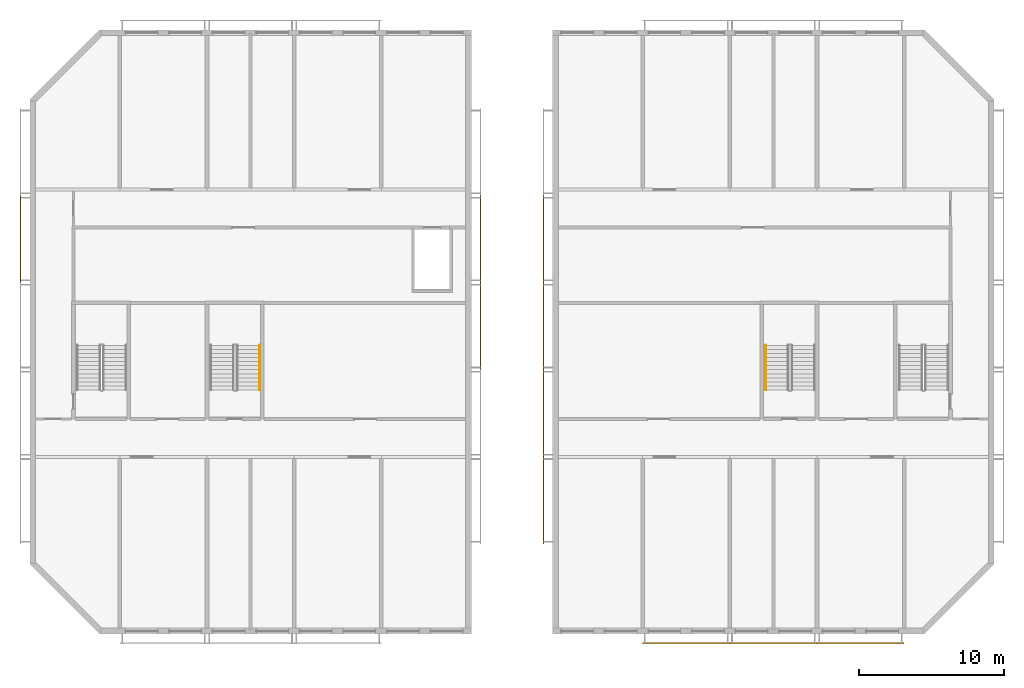
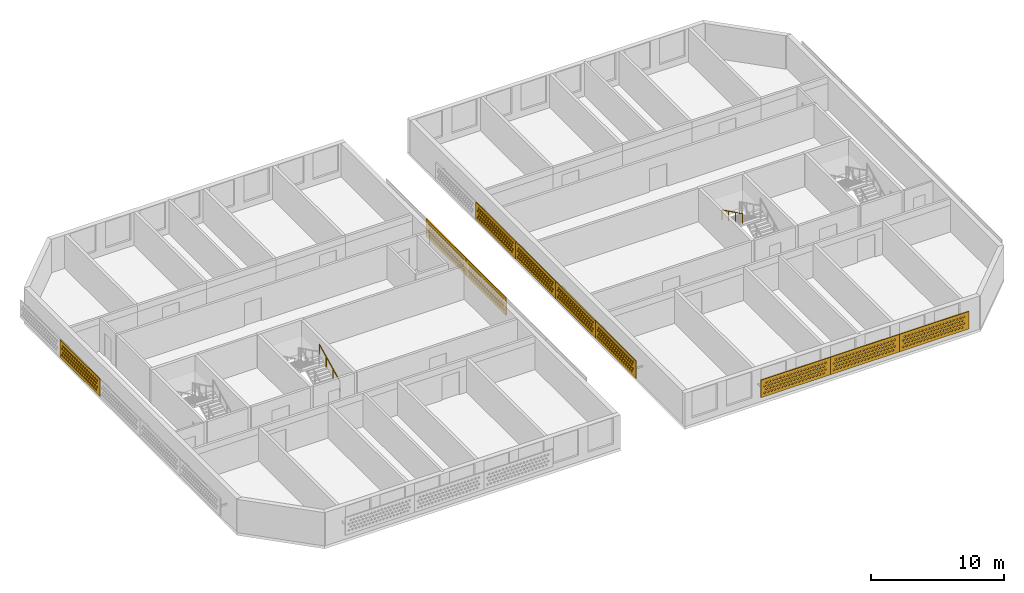
# One storey, part 10 of 18: 10 coverings, 2 railings.
"""IFC4 building model written with IfcOpenShell, lengths in metres."""

from ifc_helpers import new_model, si_unit, direction, frame, origin, origin_2d, place, context, subcontext, project, spatial, polyline, circle, outline, extrude, source, transform, mapped, material, material_profile, profile_set, type_object, element, save


model = new_model("IFC4")

# Units and contexts
model_context = context("Model", 3, precision=1e-05, world=origin(), true_north=direction((0.0, 1.0)))
body_context = subcontext(model_context, "Body", "Model", "MODEL_VIEW")
ifc_project = project(units=[si_unit("LENGTHUNIT", "METRE"), si_unit("AREAUNIT", "SQUARE_METRE"), si_unit("VOLUMEUNIT", "CUBIC_METRE"), si_unit("PLANEANGLEUNIT", "RADIAN"), si_unit("MASSUNIT", "GRAM", prefix="KILO")], contexts=[model_context])

# Site, building, storey
site_placement = place(None, origin())
site = spatial("IfcSite", under=ifc_project, at=site_placement, CompositionType="ELEMENT")
building_placement = place(site_placement, origin())
building = spatial("IfcBuilding", under=site, at=building_placement, Name="Poui Terraces", CompositionType="ELEMENT")
storey_placement = place(building_placement, frame((0.0, 0.0, 279.0)))
storey = spatial("IfcBuildingStorey", under=building, at=storey_placement, Name="L77 CROWN", CompositionType="ELEMENT", Elevation=279.0)

# Railings
ifc_material_1 = material(Name="Stainless steel handrail", Category="steel")
railing_type = type_object("IfcRailingType", Name="STAIR HANDRAIL 900", PredefinedType="HANDRAIL", material=ifc_material_1)
railing_1_placement = place(storey_placement, frame((68.47509765625, 19.679931640625, 1.78759765625)))
element("IfcRailing", 1, at=railing_1_placement, inside=storey, type_object=railing_type, Name="L77 CROWN ST-CE stair handrail 2", PredefinedType="HANDRAIL", context=body_context, shape_type="SweptSolid", body=[
    extrude(circle(Radius=0.02392578125, at=origin_2d()), frame((0.0, 0.0, 0.8759765625), z_axis=(0.0, -0.897606190399, 0.440798283751), x_axis=(1.0, 0.0, 0.0)), (0.0, 0.0, 1.0), 3.43115234375),
    extrude(circle(Radius=0.02099609375, at=origin_2d()), origin(), (0.0, 0.0, 1.0), 0.851806640625),
    extrude(circle(Radius=0.02099609375, at=origin_2d()), frame((0.0, -1.026611328125, 0.504150390625)), (0.0, 0.0, 1.0), 0.851806640625),
    extrude(circle(Radius=0.02099609375, at=origin_2d()), frame((0.0, -2.05322265625, 1.00830078125)), (0.0, 0.0, 1.0), 0.851806640625),
    extrude(circle(Radius=0.02099609375, at=origin_2d()), frame((0.0, -3.079833984375, 1.512451171875)), (0.0, 0.0, 1.0), 0.851806640625),
])
railing_2_placement = place(storey_placement, frame((33.625, 16.60009765625, 0.137451171875)))
element("IfcRailing", 2, at=railing_2_placement, inside=storey, type_object=railing_type, Name="L77 CROWN ST-CW stair handrail 1", PredefinedType="HANDRAIL", context=body_context, shape_type="SweptSolid", body=[
    extrude(circle(Radius=0.02392578125, at=origin_2d()), frame((0.0, 0.0, 0.8759765625), z_axis=(0.0, 0.897606190399, 0.440798283751), x_axis=(-1.0, 0.0, 0.0)), (0.0, 0.0, 1.0), 3.43115234375),
    extrude(circle(Radius=0.02099609375, at=origin_2d()), origin(), (0.0, 0.0, 1.0), 0.851806640625),
    extrude(circle(Radius=0.02099609375, at=origin_2d()), frame((0.0, 1.026611328125, 0.504150390625)), (0.0, 0.0, 1.0), 0.851806640625),
    extrude(circle(Radius=0.02099609375, at=origin_2d()), frame((0.0, 2.05322265625, 1.00830078125)), (0.0, 0.0, 1.0), 0.851806640625),
    extrude(circle(Radius=0.02099609375, at=origin_2d()), frame((0.0, 3.079833984375, 1.512451171875)), (0.0, 0.0, 1.0), 0.851806640625),
])

# Coverings
ifc_material_2 = material(Name="Terracotta screen", Category="masonry")
ifc_material_profile = material_profile(ifc_material_2, outline(polyline([(-3.0, -0.800048828125), (3.0, -0.800048828125), (3.0, 0.800048828125), (-3.0, 0.800048828125), (-3.0, -0.800048828125)]), holes=[polyline([(-2.800048828125, -0.449951171875), (-2.68994140625, -0.56005859375), (-2.580078125, -0.449951171875), (-2.68994140625, -0.340087890625), (-2.800048828125, -0.449951171875)]), polyline([(-2.5, -0.449951171875), (-2.389892578125, -0.56005859375), (-2.280029296875, -0.449951171875), (-2.389892578125, -0.340087890625), (-2.5, -0.449951171875)]), polyline([(-2.199951171875, -0.449951171875), (-2.090087890625, -0.56005859375), (-1.97998046875, -0.449951171875), (-2.090087890625, -0.340087890625), (-2.199951171875, -0.449951171875)]), polyline([(-1.89990234375, -0.449951171875), (-1.7900390625, -0.56005859375), (-1.679931640625, -0.449951171875), (-1.7900390625, -0.340087890625), (-1.89990234375, -0.449951171875)]), polyline([(-1.60009765625, -0.449951171875), (-1.489990234375, -0.56005859375), (-1.3798828125, -0.449951171875), (-1.489990234375, -0.340087890625), (-1.60009765625, -0.449951171875)]), polyline([(-1.300048828125, -0.449951171875), (-1.18994140625, -0.56005859375), (-1.080078125, -0.449951171875), (-1.18994140625, -0.340087890625), (-1.300048828125, -0.449951171875)]), polyline([(-1.0, -0.449951171875), (-0.889892578125, -0.56005859375), (-0.780029296875, -0.449951171875), (-0.889892578125, -0.340087890625), (-1.0, -0.449951171875)]), polyline([(-0.699951171875, -0.449951171875), (-0.590087890625, -0.56005859375), (-0.47998046875, -0.449951171875), (-0.590087890625, -0.340087890625), (-0.699951171875, -0.449951171875)]), polyline([(-0.39990234375, -0.449951171875), (-0.2900390625, -0.56005859375), (-0.179931640625, -0.449951171875), (-0.2900390625, -0.340087890625), (-0.39990234375, -0.449951171875)]), polyline([(-0.10009765625, -0.449951171875), (0.010009765625, -0.56005859375), (0.1201171875, -0.449951171875), (0.010009765625, -0.340087890625), (-0.10009765625, -0.449951171875)]), polyline([(0.199951171875, -0.449951171875), (0.31005859375, -0.56005859375), (0.419921875, -0.449951171875), (0.31005859375, -0.340087890625), (0.199951171875, -0.449951171875)]), polyline([(0.5, -0.449951171875), (0.610107421875, -0.56005859375), (0.719970703125, -0.449951171875), (0.610107421875, -0.340087890625), (0.5, -0.449951171875)]), polyline([(0.800048828125, -0.449951171875), (0.909912109375, -0.56005859375), (1.02001953125, -0.449951171875), (0.909912109375, -0.340087890625), (0.800048828125, -0.449951171875)]), polyline([(1.10009765625, -0.449951171875), (1.2099609375, -0.56005859375), (1.320068359375, -0.449951171875), (1.2099609375, -0.340087890625), (1.10009765625, -0.449951171875)]), polyline([(1.39990234375, -0.449951171875), (1.510009765625, -0.56005859375), (1.6201171875, -0.449951171875), (1.510009765625, -0.340087890625), (1.39990234375, -0.449951171875)]), polyline([(1.699951171875, -0.449951171875), (1.81005859375, -0.56005859375), (1.919921875, -0.449951171875), (1.81005859375, -0.340087890625), (1.699951171875, -0.449951171875)]), polyline([(2.0, -0.449951171875), (2.110107421875, -0.56005859375), (2.219970703125, -0.449951171875), (2.110107421875, -0.340087890625), (2.0, -0.449951171875)]), polyline([(2.300048828125, -0.449951171875), (2.409912109375, -0.56005859375), (2.52001953125, -0.449951171875), (2.409912109375, -0.340087890625), (2.300048828125, -0.449951171875)]), polyline([(-2.64990234375, -0.14990234375), (-2.5400390625, -0.260009765625), (-2.429931640625, -0.14990234375), (-2.5400390625, -0.0400390625), (-2.64990234375, -0.14990234375)]), polyline([(-2.35009765625, -0.14990234375), (-2.239990234375, -0.260009765625), (-2.1298828125, -0.14990234375), (-2.239990234375, -0.0400390625), (-2.35009765625, -0.14990234375)]), polyline([(-2.050048828125, -0.14990234375), (-1.93994140625, -0.260009765625), (-1.830078125, -0.14990234375), (-1.93994140625, -0.0400390625), (-2.050048828125, -0.14990234375)]), polyline([(-1.75, -0.14990234375), (-1.639892578125, -0.260009765625), (-1.530029296875, -0.14990234375), (-1.639892578125, -0.0400390625), (-1.75, -0.14990234375)]), polyline([(-1.449951171875, -0.14990234375), (-1.340087890625, -0.260009765625), (-1.22998046875, -0.14990234375), (-1.340087890625, -0.0400390625), (-1.449951171875, -0.14990234375)]), polyline([(-1.14990234375, -0.14990234375), (-1.0400390625, -0.260009765625), (-0.929931640625, -0.14990234375), (-1.0400390625, -0.0400390625), (-1.14990234375, -0.14990234375)]), polyline([(-0.85009765625, -0.14990234375), (-0.739990234375, -0.260009765625), (-0.6298828125, -0.14990234375), (-0.739990234375, -0.0400390625), (-0.85009765625, -0.14990234375)]), polyline([(-0.550048828125, -0.14990234375), (-0.43994140625, -0.260009765625), (-0.330078125, -0.14990234375), (-0.43994140625, -0.0400390625), (-0.550048828125, -0.14990234375)]), polyline([(-0.25, -0.14990234375), (-0.139892578125, -0.260009765625), (-0.030029296875, -0.14990234375), (-0.139892578125, -0.0400390625), (-0.25, -0.14990234375)]), polyline([(0.050048828125, -0.14990234375), (0.159912109375, -0.260009765625), (0.27001953125, -0.14990234375), (0.159912109375, -0.0400390625), (0.050048828125, -0.14990234375)]), polyline([(0.35009765625, -0.14990234375), (0.4599609375, -0.260009765625), (0.570068359375, -0.14990234375), (0.4599609375, -0.0400390625), (0.35009765625, -0.14990234375)]), polyline([(0.64990234375, -0.14990234375), (0.760009765625, -0.260009765625), (0.8701171875, -0.14990234375), (0.760009765625, -0.0400390625), (0.64990234375, -0.14990234375)]), polyline([(0.949951171875, -0.14990234375), (1.06005859375, -0.260009765625), (1.169921875, -0.14990234375), (1.06005859375, -0.0400390625), (0.949951171875, -0.14990234375)]), polyline([(1.25, -0.14990234375), (1.360107421875, -0.260009765625), (1.469970703125, -0.14990234375), (1.360107421875, -0.0400390625), (1.25, -0.14990234375)]), polyline([(1.550048828125, -0.14990234375), (1.659912109375, -0.260009765625), (1.77001953125, -0.14990234375), (1.659912109375, -0.0400390625), (1.550048828125, -0.14990234375)]), polyline([(1.85009765625, -0.14990234375), (1.9599609375, -0.260009765625), (2.070068359375, -0.14990234375), (1.9599609375, -0.0400390625), (1.85009765625, -0.14990234375)]), polyline([(2.14990234375, -0.14990234375), (2.260009765625, -0.260009765625), (2.3701171875, -0.14990234375), (2.260009765625, -0.0400390625), (2.14990234375, -0.14990234375)]), polyline([(2.449951171875, -0.14990234375), (2.56005859375, -0.260009765625), (2.669921875, -0.14990234375), (2.56005859375, -0.0400390625), (2.449951171875, -0.14990234375)]), polyline([(-2.800048828125, 0.14990234375), (-2.68994140625, 0.0400390625), (-2.580078125, 0.14990234375), (-2.68994140625, 0.260009765625), (-2.800048828125, 0.14990234375)]), polyline([(-2.5, 0.14990234375), (-2.389892578125, 0.0400390625), (-2.280029296875, 0.14990234375), (-2.389892578125, 0.260009765625), (-2.5, 0.14990234375)]), polyline([(-2.199951171875, 0.14990234375), (-2.090087890625, 0.0400390625), (-1.97998046875, 0.14990234375), (-2.090087890625, 0.260009765625), (-2.199951171875, 0.14990234375)]), polyline([(-1.89990234375, 0.14990234375), (-1.7900390625, 0.0400390625), (-1.679931640625, 0.14990234375), (-1.7900390625, 0.260009765625), (-1.89990234375, 0.14990234375)]), polyline([(-1.60009765625, 0.14990234375), (-1.489990234375, 0.0400390625), (-1.3798828125, 0.14990234375), (-1.489990234375, 0.260009765625), (-1.60009765625, 0.14990234375)]), polyline([(-1.300048828125, 0.14990234375), (-1.18994140625, 0.0400390625), (-1.080078125, 0.14990234375), (-1.18994140625, 0.260009765625), (-1.300048828125, 0.14990234375)]), polyline([(-1.0, 0.14990234375), (-0.889892578125, 0.0400390625), (-0.780029296875, 0.14990234375), (-0.889892578125, 0.260009765625), (-1.0, 0.14990234375)]), polyline([(-0.699951171875, 0.14990234375), (-0.590087890625, 0.0400390625), (-0.47998046875, 0.14990234375), (-0.590087890625, 0.260009765625), (-0.699951171875, 0.14990234375)]), polyline([(-0.39990234375, 0.14990234375), (-0.2900390625, 0.0400390625), (-0.179931640625, 0.14990234375), (-0.2900390625, 0.260009765625), (-0.39990234375, 0.14990234375)]), polyline([(-0.10009765625, 0.14990234375), (0.010009765625, 0.0400390625), (0.1201171875, 0.14990234375), (0.010009765625, 0.260009765625), (-0.10009765625, 0.14990234375)]), polyline([(0.199951171875, 0.14990234375), (0.31005859375, 0.0400390625), (0.419921875, 0.14990234375), (0.31005859375, 0.260009765625), (0.199951171875, 0.14990234375)]), polyline([(0.5, 0.14990234375), (0.610107421875, 0.0400390625), (0.719970703125, 0.14990234375), (0.610107421875, 0.260009765625), (0.5, 0.14990234375)]), polyline([(0.800048828125, 0.14990234375), (0.909912109375, 0.0400390625), (1.02001953125, 0.14990234375), (0.909912109375, 0.260009765625), (0.800048828125, 0.14990234375)]), polyline([(1.10009765625, 0.14990234375), (1.2099609375, 0.0400390625), (1.320068359375, 0.14990234375), (1.2099609375, 0.260009765625), (1.10009765625, 0.14990234375)]), polyline([(1.39990234375, 0.14990234375), (1.510009765625, 0.0400390625), (1.6201171875, 0.14990234375), (1.510009765625, 0.260009765625), (1.39990234375, 0.14990234375)]), polyline([(1.699951171875, 0.14990234375), (1.81005859375, 0.0400390625), (1.919921875, 0.14990234375), (1.81005859375, 0.260009765625), (1.699951171875, 0.14990234375)]), polyline([(2.0, 0.14990234375), (2.110107421875, 0.0400390625), (2.219970703125, 0.14990234375), (2.110107421875, 0.260009765625), (2.0, 0.14990234375)]), polyline([(2.300048828125, 0.14990234375), (2.409912109375, 0.0400390625), (2.52001953125, 0.14990234375), (2.409912109375, 0.260009765625), (2.300048828125, 0.14990234375)]), polyline([(-2.64990234375, 0.449951171875), (-2.5400390625, 0.340087890625), (-2.429931640625, 0.449951171875), (-2.5400390625, 0.56005859375), (-2.64990234375, 0.449951171875)]), polyline([(-2.35009765625, 0.449951171875), (-2.239990234375, 0.340087890625), (-2.1298828125, 0.449951171875), (-2.239990234375, 0.56005859375), (-2.35009765625, 0.449951171875)]), polyline([(-2.050048828125, 0.449951171875), (-1.93994140625, 0.340087890625), (-1.830078125, 0.449951171875), (-1.93994140625, 0.56005859375), (-2.050048828125, 0.449951171875)]), polyline([(-1.75, 0.449951171875), (-1.639892578125, 0.340087890625), (-1.530029296875, 0.449951171875), (-1.639892578125, 0.56005859375), (-1.75, 0.449951171875)]), polyline([(-1.449951171875, 0.449951171875), (-1.340087890625, 0.340087890625), (-1.22998046875, 0.449951171875), (-1.340087890625, 0.56005859375), (-1.449951171875, 0.449951171875)]), polyline([(-1.14990234375, 0.449951171875), (-1.0400390625, 0.340087890625), (-0.929931640625, 0.449951171875), (-1.0400390625, 0.56005859375), (-1.14990234375, 0.449951171875)]), polyline([(-0.85009765625, 0.449951171875), (-0.739990234375, 0.340087890625), (-0.6298828125, 0.449951171875), (-0.739990234375, 0.56005859375), (-0.85009765625, 0.449951171875)]), polyline([(-0.550048828125, 0.449951171875), (-0.43994140625, 0.340087890625), (-0.330078125, 0.449951171875), (-0.43994140625, 0.56005859375), (-0.550048828125, 0.449951171875)]), polyline([(-0.25, 0.449951171875), (-0.139892578125, 0.340087890625), (-0.030029296875, 0.449951171875), (-0.139892578125, 0.56005859375), (-0.25, 0.449951171875)]), polyline([(0.050048828125, 0.449951171875), (0.159912109375, 0.340087890625), (0.27001953125, 0.449951171875), (0.159912109375, 0.56005859375), (0.050048828125, 0.449951171875)]), polyline([(0.35009765625, 0.449951171875), (0.4599609375, 0.340087890625), (0.570068359375, 0.449951171875), (0.4599609375, 0.56005859375), (0.35009765625, 0.449951171875)]), polyline([(0.64990234375, 0.449951171875), (0.760009765625, 0.340087890625), (0.8701171875, 0.449951171875), (0.760009765625, 0.56005859375), (0.64990234375, 0.449951171875)]), polyline([(0.949951171875, 0.449951171875), (1.06005859375, 0.340087890625), (1.169921875, 0.449951171875), (1.06005859375, 0.56005859375), (0.949951171875, 0.449951171875)]), polyline([(1.25, 0.449951171875), (1.360107421875, 0.340087890625), (1.469970703125, 0.449951171875), (1.360107421875, 0.56005859375), (1.25, 0.449951171875)]), polyline([(1.550048828125, 0.449951171875), (1.659912109375, 0.340087890625), (1.77001953125, 0.449951171875), (1.659912109375, 0.56005859375), (1.550048828125, 0.449951171875)]), polyline([(1.85009765625, 0.449951171875), (1.9599609375, 0.340087890625), (2.070068359375, 0.449951171875), (1.9599609375, 0.56005859375), (1.85009765625, 0.449951171875)]), polyline([(2.14990234375, 0.449951171875), (2.260009765625, 0.340087890625), (2.3701171875, 0.449951171875), (2.260009765625, 0.56005859375), (2.14990234375, 0.449951171875)]), polyline([(2.449951171875, 0.449951171875), (2.56005859375, 0.340087890625), (2.669921875, 0.449951171875), (2.56005859375, 0.56005859375), (2.449951171875, 0.449951171875)])]), Name="TERRACOTTA SOLAR SCREEN 6000X1600")
ifc_profile_set = profile_set([ifc_material_profile], Name="Terracotta screen")
covering_type = type_object("IfcCoveringType", Name="TERRACOTTA SOLAR SCREEN 6000X1600", PredefinedType="CLADDING", material=ifc_profile_set)
shared_shape = source(origin(), body_context, "Body", "SweptSolid", [
    extrude(outline(polyline([(-3.0, -0.800048828125), (3.0, -0.800048828125), (3.0, 0.800048828125), (-3.0, 0.800048828125), (-3.0, -0.800048828125)]), holes=[polyline([(-2.800048828125, -0.449951171875), (-2.68994140625, -0.56005859375), (-2.580078125, -0.449951171875), (-2.68994140625, -0.340087890625), (-2.800048828125, -0.449951171875)]), polyline([(-2.5, -0.449951171875), (-2.389892578125, -0.56005859375), (-2.280029296875, -0.449951171875), (-2.389892578125, -0.340087890625), (-2.5, -0.449951171875)]), polyline([(-2.199951171875, -0.449951171875), (-2.090087890625, -0.56005859375), (-1.97998046875, -0.449951171875), (-2.090087890625, -0.340087890625), (-2.199951171875, -0.449951171875)]), polyline([(-1.89990234375, -0.449951171875), (-1.7900390625, -0.56005859375), (-1.679931640625, -0.449951171875), (-1.7900390625, -0.340087890625), (-1.89990234375, -0.449951171875)]), polyline([(-1.60009765625, -0.449951171875), (-1.489990234375, -0.56005859375), (-1.3798828125, -0.449951171875), (-1.489990234375, -0.340087890625), (-1.60009765625, -0.449951171875)]), polyline([(-1.300048828125, -0.449951171875), (-1.18994140625, -0.56005859375), (-1.080078125, -0.449951171875), (-1.18994140625, -0.340087890625), (-1.300048828125, -0.449951171875)]), polyline([(-1.0, -0.449951171875), (-0.889892578125, -0.56005859375), (-0.780029296875, -0.449951171875), (-0.889892578125, -0.340087890625), (-1.0, -0.449951171875)]), polyline([(-0.699951171875, -0.449951171875), (-0.590087890625, -0.56005859375), (-0.47998046875, -0.449951171875), (-0.590087890625, -0.340087890625), (-0.699951171875, -0.449951171875)]), polyline([(-0.39990234375, -0.449951171875), (-0.2900390625, -0.56005859375), (-0.179931640625, -0.449951171875), (-0.2900390625, -0.340087890625), (-0.39990234375, -0.449951171875)]), polyline([(-0.10009765625, -0.449951171875), (0.010009765625, -0.56005859375), (0.1201171875, -0.449951171875), (0.010009765625, -0.340087890625), (-0.10009765625, -0.449951171875)]), polyline([(0.199951171875, -0.449951171875), (0.31005859375, -0.56005859375), (0.419921875, -0.449951171875), (0.31005859375, -0.340087890625), (0.199951171875, -0.449951171875)]), polyline([(0.5, -0.449951171875), (0.610107421875, -0.56005859375), (0.719970703125, -0.449951171875), (0.610107421875, -0.340087890625), (0.5, -0.449951171875)]), polyline([(0.800048828125, -0.449951171875), (0.909912109375, -0.56005859375), (1.02001953125, -0.449951171875), (0.909912109375, -0.340087890625), (0.800048828125, -0.449951171875)]), polyline([(1.10009765625, -0.449951171875), (1.2099609375, -0.56005859375), (1.320068359375, -0.449951171875), (1.2099609375, -0.340087890625), (1.10009765625, -0.449951171875)]), polyline([(1.39990234375, -0.449951171875), (1.510009765625, -0.56005859375), (1.6201171875, -0.449951171875), (1.510009765625, -0.340087890625), (1.39990234375, -0.449951171875)]), polyline([(1.699951171875, -0.449951171875), (1.81005859375, -0.56005859375), (1.919921875, -0.449951171875), (1.81005859375, -0.340087890625), (1.699951171875, -0.449951171875)]), polyline([(2.0, -0.449951171875), (2.110107421875, -0.56005859375), (2.219970703125, -0.449951171875), (2.110107421875, -0.340087890625), (2.0, -0.449951171875)]), polyline([(2.300048828125, -0.449951171875), (2.409912109375, -0.56005859375), (2.52001953125, -0.449951171875), (2.409912109375, -0.340087890625), (2.300048828125, -0.449951171875)]), polyline([(-2.64990234375, -0.14990234375), (-2.5400390625, -0.260009765625), (-2.429931640625, -0.14990234375), (-2.5400390625, -0.0400390625), (-2.64990234375, -0.14990234375)]), polyline([(-2.35009765625, -0.14990234375), (-2.239990234375, -0.260009765625), (-2.1298828125, -0.14990234375), (-2.239990234375, -0.0400390625), (-2.35009765625, -0.14990234375)]), polyline([(-2.050048828125, -0.14990234375), (-1.93994140625, -0.260009765625), (-1.830078125, -0.14990234375), (-1.93994140625, -0.0400390625), (-2.050048828125, -0.14990234375)]), polyline([(-1.75, -0.14990234375), (-1.639892578125, -0.260009765625), (-1.530029296875, -0.14990234375), (-1.639892578125, -0.0400390625), (-1.75, -0.14990234375)]), polyline([(-1.449951171875, -0.14990234375), (-1.340087890625, -0.260009765625), (-1.22998046875, -0.14990234375), (-1.340087890625, -0.0400390625), (-1.449951171875, -0.14990234375)]), polyline([(-1.14990234375, -0.14990234375), (-1.0400390625, -0.260009765625), (-0.929931640625, -0.14990234375), (-1.0400390625, -0.0400390625), (-1.14990234375, -0.14990234375)]), polyline([(-0.85009765625, -0.14990234375), (-0.739990234375, -0.260009765625), (-0.6298828125, -0.14990234375), (-0.739990234375, -0.0400390625), (-0.85009765625, -0.14990234375)]), polyline([(-0.550048828125, -0.14990234375), (-0.43994140625, -0.260009765625), (-0.330078125, -0.14990234375), (-0.43994140625, -0.0400390625), (-0.550048828125, -0.14990234375)]), polyline([(-0.25, -0.14990234375), (-0.139892578125, -0.260009765625), (-0.030029296875, -0.14990234375), (-0.139892578125, -0.0400390625), (-0.25, -0.14990234375)]), polyline([(0.050048828125, -0.14990234375), (0.159912109375, -0.260009765625), (0.27001953125, -0.14990234375), (0.159912109375, -0.0400390625), (0.050048828125, -0.14990234375)]), polyline([(0.35009765625, -0.14990234375), (0.4599609375, -0.260009765625), (0.570068359375, -0.14990234375), (0.4599609375, -0.0400390625), (0.35009765625, -0.14990234375)]), polyline([(0.64990234375, -0.14990234375), (0.760009765625, -0.260009765625), (0.8701171875, -0.14990234375), (0.760009765625, -0.0400390625), (0.64990234375, -0.14990234375)]), polyline([(0.949951171875, -0.14990234375), (1.06005859375, -0.260009765625), (1.169921875, -0.14990234375), (1.06005859375, -0.0400390625), (0.949951171875, -0.14990234375)]), polyline([(1.25, -0.14990234375), (1.360107421875, -0.260009765625), (1.469970703125, -0.14990234375), (1.360107421875, -0.0400390625), (1.25, -0.14990234375)]), polyline([(1.550048828125, -0.14990234375), (1.659912109375, -0.260009765625), (1.77001953125, -0.14990234375), (1.659912109375, -0.0400390625), (1.550048828125, -0.14990234375)]), polyline([(1.85009765625, -0.14990234375), (1.9599609375, -0.260009765625), (2.070068359375, -0.14990234375), (1.9599609375, -0.0400390625), (1.85009765625, -0.14990234375)]), polyline([(2.14990234375, -0.14990234375), (2.260009765625, -0.260009765625), (2.3701171875, -0.14990234375), (2.260009765625, -0.0400390625), (2.14990234375, -0.14990234375)]), polyline([(2.449951171875, -0.14990234375), (2.56005859375, -0.260009765625), (2.669921875, -0.14990234375), (2.56005859375, -0.0400390625), (2.449951171875, -0.14990234375)]), polyline([(-2.800048828125, 0.14990234375), (-2.68994140625, 0.0400390625), (-2.580078125, 0.14990234375), (-2.68994140625, 0.260009765625), (-2.800048828125, 0.14990234375)]), polyline([(-2.5, 0.14990234375), (-2.389892578125, 0.0400390625), (-2.280029296875, 0.14990234375), (-2.389892578125, 0.260009765625), (-2.5, 0.14990234375)]), polyline([(-2.199951171875, 0.14990234375), (-2.090087890625, 0.0400390625), (-1.97998046875, 0.14990234375), (-2.090087890625, 0.260009765625), (-2.199951171875, 0.14990234375)]), polyline([(-1.89990234375, 0.14990234375), (-1.7900390625, 0.0400390625), (-1.679931640625, 0.14990234375), (-1.7900390625, 0.260009765625), (-1.89990234375, 0.14990234375)]), polyline([(-1.60009765625, 0.14990234375), (-1.489990234375, 0.0400390625), (-1.3798828125, 0.14990234375), (-1.489990234375, 0.260009765625), (-1.60009765625, 0.14990234375)]), polyline([(-1.300048828125, 0.14990234375), (-1.18994140625, 0.0400390625), (-1.080078125, 0.14990234375), (-1.18994140625, 0.260009765625), (-1.300048828125, 0.14990234375)]), polyline([(-1.0, 0.14990234375), (-0.889892578125, 0.0400390625), (-0.780029296875, 0.14990234375), (-0.889892578125, 0.260009765625), (-1.0, 0.14990234375)]), polyline([(-0.699951171875, 0.14990234375), (-0.590087890625, 0.0400390625), (-0.47998046875, 0.14990234375), (-0.590087890625, 0.260009765625), (-0.699951171875, 0.14990234375)]), polyline([(-0.39990234375, 0.14990234375), (-0.2900390625, 0.0400390625), (-0.179931640625, 0.14990234375), (-0.2900390625, 0.260009765625), (-0.39990234375, 0.14990234375)]), polyline([(-0.10009765625, 0.14990234375), (0.010009765625, 0.0400390625), (0.1201171875, 0.14990234375), (0.010009765625, 0.260009765625), (-0.10009765625, 0.14990234375)]), polyline([(0.199951171875, 0.14990234375), (0.31005859375, 0.0400390625), (0.419921875, 0.14990234375), (0.31005859375, 0.260009765625), (0.199951171875, 0.14990234375)]), polyline([(0.5, 0.14990234375), (0.610107421875, 0.0400390625), (0.719970703125, 0.14990234375), (0.610107421875, 0.260009765625), (0.5, 0.14990234375)]), polyline([(0.800048828125, 0.14990234375), (0.909912109375, 0.0400390625), (1.02001953125, 0.14990234375), (0.909912109375, 0.260009765625), (0.800048828125, 0.14990234375)]), polyline([(1.10009765625, 0.14990234375), (1.2099609375, 0.0400390625), (1.320068359375, 0.14990234375), (1.2099609375, 0.260009765625), (1.10009765625, 0.14990234375)]), polyline([(1.39990234375, 0.14990234375), (1.510009765625, 0.0400390625), (1.6201171875, 0.14990234375), (1.510009765625, 0.260009765625), (1.39990234375, 0.14990234375)]), polyline([(1.699951171875, 0.14990234375), (1.81005859375, 0.0400390625), (1.919921875, 0.14990234375), (1.81005859375, 0.260009765625), (1.699951171875, 0.14990234375)]), polyline([(2.0, 0.14990234375), (2.110107421875, 0.0400390625), (2.219970703125, 0.14990234375), (2.110107421875, 0.260009765625), (2.0, 0.14990234375)]), polyline([(2.300048828125, 0.14990234375), (2.409912109375, 0.0400390625), (2.52001953125, 0.14990234375), (2.409912109375, 0.260009765625), (2.300048828125, 0.14990234375)]), polyline([(-2.64990234375, 0.449951171875), (-2.5400390625, 0.340087890625), (-2.429931640625, 0.449951171875), (-2.5400390625, 0.56005859375), (-2.64990234375, 0.449951171875)]), polyline([(-2.35009765625, 0.449951171875), (-2.239990234375, 0.340087890625), (-2.1298828125, 0.449951171875), (-2.239990234375, 0.56005859375), (-2.35009765625, 0.449951171875)]), polyline([(-2.050048828125, 0.449951171875), (-1.93994140625, 0.340087890625), (-1.830078125, 0.449951171875), (-1.93994140625, 0.56005859375), (-2.050048828125, 0.449951171875)]), polyline([(-1.75, 0.449951171875), (-1.639892578125, 0.340087890625), (-1.530029296875, 0.449951171875), (-1.639892578125, 0.56005859375), (-1.75, 0.449951171875)]), polyline([(-1.449951171875, 0.449951171875), (-1.340087890625, 0.340087890625), (-1.22998046875, 0.449951171875), (-1.340087890625, 0.56005859375), (-1.449951171875, 0.449951171875)]), polyline([(-1.14990234375, 0.449951171875), (-1.0400390625, 0.340087890625), (-0.929931640625, 0.449951171875), (-1.0400390625, 0.56005859375), (-1.14990234375, 0.449951171875)]), polyline([(-0.85009765625, 0.449951171875), (-0.739990234375, 0.340087890625), (-0.6298828125, 0.449951171875), (-0.739990234375, 0.56005859375), (-0.85009765625, 0.449951171875)]), polyline([(-0.550048828125, 0.449951171875), (-0.43994140625, 0.340087890625), (-0.330078125, 0.449951171875), (-0.43994140625, 0.56005859375), (-0.550048828125, 0.449951171875)]), polyline([(-0.25, 0.449951171875), (-0.139892578125, 0.340087890625), (-0.030029296875, 0.449951171875), (-0.139892578125, 0.56005859375), (-0.25, 0.449951171875)]), polyline([(0.050048828125, 0.449951171875), (0.159912109375, 0.340087890625), (0.27001953125, 0.449951171875), (0.159912109375, 0.56005859375), (0.050048828125, 0.449951171875)]), polyline([(0.35009765625, 0.449951171875), (0.4599609375, 0.340087890625), (0.570068359375, 0.449951171875), (0.4599609375, 0.56005859375), (0.35009765625, 0.449951171875)]), polyline([(0.64990234375, 0.449951171875), (0.760009765625, 0.340087890625), (0.8701171875, 0.449951171875), (0.760009765625, 0.56005859375), (0.64990234375, 0.449951171875)]), polyline([(0.949951171875, 0.449951171875), (1.06005859375, 0.340087890625), (1.169921875, 0.449951171875), (1.06005859375, 0.56005859375), (0.949951171875, 0.449951171875)]), polyline([(1.25, 0.449951171875), (1.360107421875, 0.340087890625), (1.469970703125, 0.449951171875), (1.360107421875, 0.56005859375), (1.25, 0.449951171875)]), polyline([(1.550048828125, 0.449951171875), (1.659912109375, 0.340087890625), (1.77001953125, 0.449951171875), (1.659912109375, 0.56005859375), (1.550048828125, 0.449951171875)]), polyline([(1.85009765625, 0.449951171875), (1.9599609375, 0.340087890625), (2.070068359375, 0.449951171875), (1.9599609375, 0.56005859375), (1.85009765625, 0.449951171875)]), polyline([(2.14990234375, 0.449951171875), (2.260009765625, 0.340087890625), (2.3701171875, 0.449951171875), (2.260009765625, 0.56005859375), (2.14990234375, 0.449951171875)]), polyline([(2.449951171875, 0.449951171875), (2.56005859375, 0.340087890625), (2.669921875, 0.449951171875), (2.56005859375, 0.56005859375), (2.449951171875, 0.449951171875)])]), origin(), (0.0, 0.0, 1.0), 0.079833984375),
])
for number, where, z_axis, x_axis, name in (
    (3, (48.800048828125, 21.0, 1.699951171875), (1.0, 0.0, 0.0), (0.0, 1.0, 0.0), "SOLAR SCREEN"),
    (4, (48.800048828125, 27.0, 1.699951171875), (1.0, 0.0, 0.0), (0.0, 1.0, 0.0), "SOLAR SCREEN"),
    (5, (17.199951171875, 27.0, 1.699951171875), (-1.0, 0.0, 0.0), (0.0, -1.0, 0.0), "SOLAR SCREEN"),
    (6, (63.0, -0.800048828125, 1.699951171875), (0.0, -1.0, 0.0), (1.0, 0.0, 0.0), "SOLAR SCREEN"),
    (7, (69.0, -0.800048828125, 1.699951171875), (0.0, -1.0, 0.0), (1.0, 0.0, 0.0), "SOLAR SCREEN"),
    (8, (75.0, -0.800048828125, 1.699951171875), (0.0, -1.0, 0.0), (1.0, 0.0, 0.0), "SOLAR SCREEN"),
    (9, (53.199951171875, 9.0, 1.699951171875), (-1.0, 0.0, 0.0), (0.0, -1.0, 0.0), "SOLAR SCREEN"),
    (10, (53.199951171875, 15.0, 1.699951171875), (-1.0, 0.0, 0.0), (0.0, -1.0, 0.0), "SOLAR SCREEN"),
    (11, (53.199951171875, 21.0, 1.699951171875), (-1.0, 0.0, 0.0), (0.0, -1.0, 0.0), "SOLAR SCREEN"),
    (12, (53.199951171875, 27.0, 1.699951171875), (-1.0, 0.0, 0.0), (0.0, -1.0, 0.0), "SOLAR SCREEN"),
):
    element("IfcCovering", number, at=place(storey_placement, frame(where, z_axis=z_axis, x_axis=x_axis)), inside=storey, type_object=covering_type, Name=name, PredefinedType="CLADDING", context=body_context, shape_type="MappedRepresentation", body=[
        mapped(shared_shape, transform((0.0, 0.0, 0.0))),
    ])

save(model, "model.ifc")
